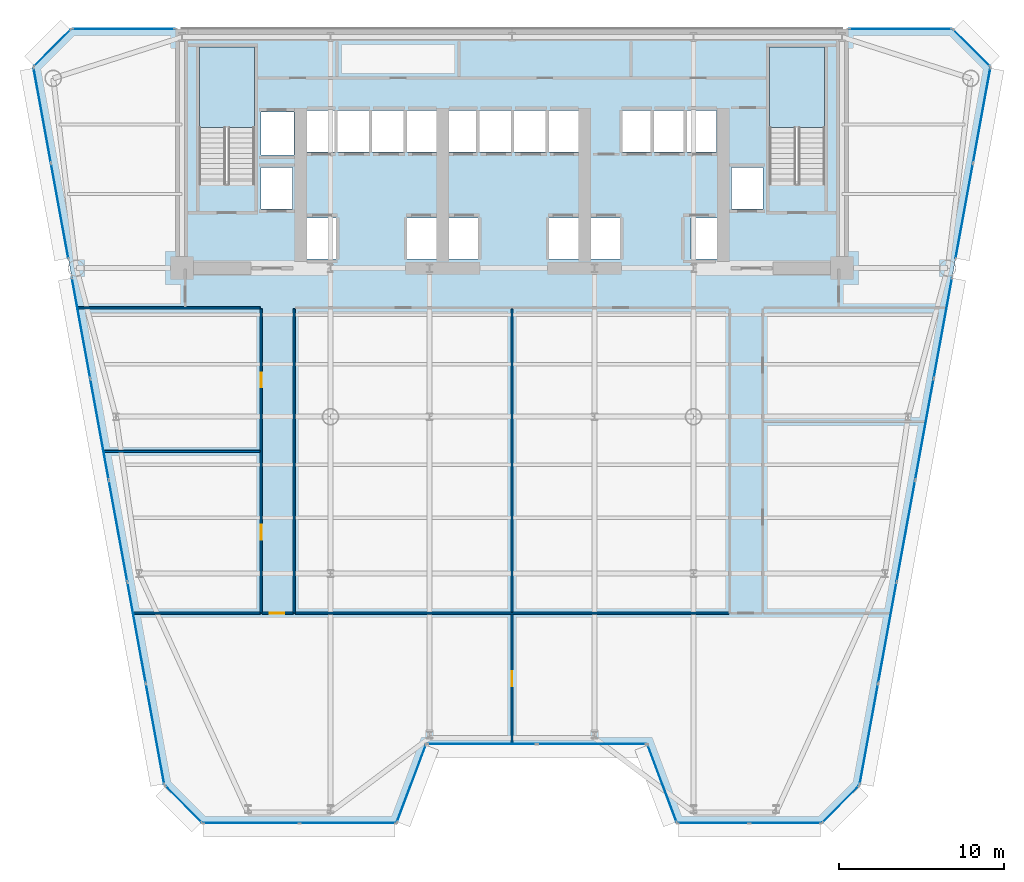
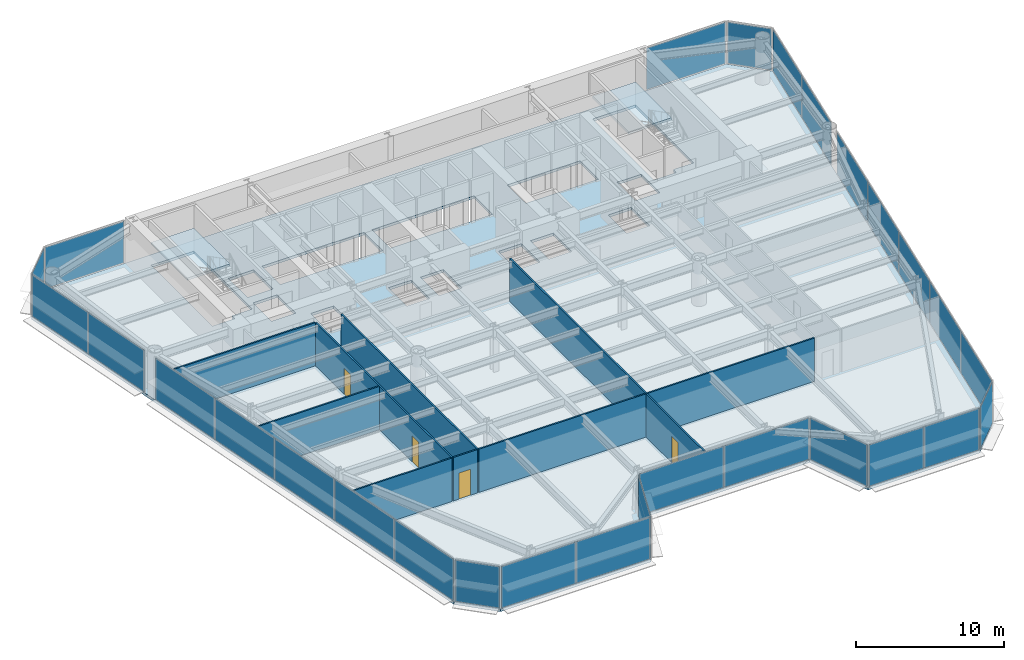
# One storey, part 7 of 14: 28 plates, 9 walls, 4 doors, 3 slabs, 4 openings, 17 elements without a shape of their own.
"""IFC4 building model written with IfcOpenShell, lengths in metres."""

from ifc_helpers import new_model, si_unit, direction, frame, frame_2d, origin, origin_2d, place, context, subcontext, project, spatial, polyline, rectangle, outline, extrude, source, transform, mapped, material, layer, layer_set, type_object, element, fill, aggregate, save


model = new_model("IFC4")

# Units and contexts
model_context = context("Model", 3, precision=1e-05, world=origin(), true_north=direction((0.0, 1.0)))
body_context = subcontext(model_context, "Body", "Model", "MODEL_VIEW")
ifc_project = project(units=[si_unit("LENGTHUNIT", "METRE"), si_unit("AREAUNIT", "SQUARE_METRE"), si_unit("VOLUMEUNIT", "CUBIC_METRE"), si_unit("PLANEANGLEUNIT", "RADIAN"), si_unit("MASSUNIT", "GRAM", prefix="KILO")], contexts=[model_context])

# Site, building, storey
site_placement = place(None, origin())
site = spatial("IfcSite", under=ifc_project, at=site_placement, CompositionType="ELEMENT")
building_placement = place(site_placement, origin())
building = spatial("IfcBuilding", under=site, at=building_placement, Name="Vaeldorn Concourse Tower", CompositionType="ELEMENT")
storey_placement = place(building_placement, frame((0.0, 0.0, 99.60009765625)))
storey = spatial("IfcBuildingStorey", under=building, at=storey_placement, Name="L25", CompositionType="ELEMENT", Elevation=99.60009765625)

# Stair, slab
ifc_material_1 = material(Name="Precast concrete C40/50", Category="concrete")
stair_type = type_object("IfcStairType", Name="STR-DOG-24x158", PredefinedType="HALF_TURN_STAIR", material=ifc_material_1)
stair_1_placement = place(storey_placement, origin())
stair_1 = element("IfcStair", 1, at=stair_1_placement, inside=storey, type_object=stair_type, Name="L25 West Core Exit Stair ST-1", PredefinedType="HALF_TURN_STAIR")
ifc_material_2 = material(Name="Concrete C40/50", Category="concrete")
ifc_layer_1 = layer(ifc_material_2, 0.199951171875)
ifc_layer_set_1 = layer_set([ifc_layer_1], Name="Concrete C40/50")
slab_type_1 = type_object("IfcSlabType", Name="SL-STAIR-LANDING", PredefinedType="LANDING", material=ifc_layer_set_1)
slab_1_placement = place(storey_placement, frame((0.0, 0.0, 1.699951171875)))
slab_1 = element("IfcSlab", 2, at=slab_1_placement, type_object=slab_type_1, Name="ST-1 landing 1", PredefinedType="LANDING", context=body_context, shape_type="SweptSolid", body=[
    extrude(outline(polyline([(18.39990234375, 45.010009765625), (18.39990234375, 49.89990234375), (15.050048828125, 49.89990234375), (15.050048828125, 45.010009765625), (18.39990234375, 45.010009765625)])), origin(), (0.0, 0.0, 1.0), 0.199951171875),
])
aggregate(stair_1, [slab_1])

stair_2_placement = place(storey_placement, origin())
stair_2 = element("IfcStair", 3, at=stair_2_placement, inside=storey, type_object=stair_type, Name="L25 East Core Exit Stair ST-2", PredefinedType="HALF_TURN_STAIR")
slab_2_placement = place(storey_placement, frame((0.0, 0.0, 1.699951171875)))
slab_2 = element("IfcSlab", 4, at=slab_2_placement, type_object=slab_type_1, Name="ST-2 landing 1", PredefinedType="LANDING", context=body_context, shape_type="SweptSolid", body=[
    extrude(outline(polyline([(52.949951171875, 45.010009765625), (52.949951171875, 49.89990234375), (49.60009765625, 49.89990234375), (49.60009765625, 45.010009765625), (52.949951171875, 45.010009765625)])), origin(), (0.0, 0.0, 1.0), 0.199951171875),
])
aggregate(stair_2, [slab_2])

# Slab
ifc_layer_2 = layer(ifc_material_2, 0.219970703125)
ifc_layer_set_2 = layer_set([ifc_layer_2], Name="Concrete C40/50")
slab_type_2 = type_object("IfcSlabType", Name="SL-TYP-220", PredefinedType="FLOOR", material=ifc_layer_set_2)
slab_3_placement = place(storey_placement, frame((0.0, 0.0, -0.22021484375)))
element("IfcSlab", 5, at=slab_3_placement, inside=storey, type_object=slab_type_2, Name="Structural Floor Slab L25", PredefinedType="FLOOR", context=body_context, shape_type="SweptSolid", body=[
    extrude(outline(polyline([(15.24169921875, 2.868896484375), (27.0, 2.868896484375), (28.800048828125, 7.6689453125), (42.199951171875, 7.6689453125), (44.0, 2.868896484375), (52.75830078125, 2.868896484375), (55.058349609375, 5.1689453125), (63.0, 48.699951171875), (60.699951171875, 51.0), (7.300048828125, 51.0), (5.0, 48.699951171875), (12.941650390625, 5.1689453125), (15.24169921875, 2.868896484375)]), holes=[polyline([(18.39990234375, 42.0), (18.39990234375, 49.89990234375), (15.050048828125, 49.89990234375), (15.050048828125, 41.60009765625), (16.800048828125, 41.60009765625), (16.800048828125, 42.0), (18.39990234375, 42.0)]), polyline([(52.949951171875, 42.0), (52.949951171875, 49.89990234375), (49.60009765625, 49.89990234375), (49.60009765625, 41.60009765625), (51.35009765625, 41.60009765625), (51.35009765625, 42.0), (52.949951171875, 42.0)]), polyline([(21.550048828125, 37.050048828125), (23.35009765625, 37.050048828125), (23.35009765625, 39.550048828125), (21.550048828125, 39.550048828125), (21.550048828125, 37.050048828125)]), polyline([(27.64990234375, 37.050048828125), (29.449951171875, 37.050048828125), (29.449951171875, 39.550048828125), (27.64990234375, 39.550048828125), (27.64990234375, 37.050048828125)]), polyline([(21.5, 43.550048828125), (29.5, 43.550048828125), (29.5, 46.050048828125), (21.5, 46.050048828125), (21.5, 43.550048828125)]), polyline([(30.14990234375, 37.050048828125), (31.949951171875, 37.050048828125), (31.949951171875, 39.550048828125), (30.14990234375, 39.550048828125), (30.14990234375, 37.050048828125)]), polyline([(36.25, 37.050048828125), (38.050048828125, 37.050048828125), (38.050048828125, 39.550048828125), (36.25, 39.550048828125), (36.25, 37.050048828125)]), polyline([(30.10009765625, 43.550048828125), (38.10009765625, 43.550048828125), (38.10009765625, 46.050048828125), (30.10009765625, 46.050048828125), (30.10009765625, 43.550048828125)]), polyline([(38.75, 37.050048828125), (40.550048828125, 37.050048828125), (40.550048828125, 39.550048828125), (38.75, 39.550048828125), (38.75, 37.050048828125)]), polyline([(44.85009765625, 37.050048828125), (46.64990234375, 37.050048828125), (46.64990234375, 39.550048828125), (44.85009765625, 39.550048828125), (44.85009765625, 37.050048828125)]), polyline([(40.699951171875, 43.550048828125), (46.39990234375, 43.550048828125), (46.39990234375, 46.050048828125), (40.699951171875, 46.050048828125), (40.699951171875, 43.550048828125)]), polyline([(18.800048828125, 43.35009765625), (20.800048828125, 43.35009765625), (20.800048828125, 45.949951171875), (18.800048828125, 45.949951171875), (18.800048828125, 43.35009765625)]), polyline([(18.800048828125, 40.10009765625), (20.699951171875, 40.10009765625), (20.699951171875, 42.60009765625), (18.800048828125, 42.60009765625), (18.800048828125, 40.10009765625)]), polyline([(47.300048828125, 40.10009765625), (49.199951171875, 40.10009765625), (49.199951171875, 42.60009765625), (47.300048828125, 42.60009765625), (47.300048828125, 40.10009765625)])]), origin(), (0.0, 0.0, 1.0), 0.22021484375),
])

# Curtain wall, plate
ifc_material_3 = material(Name="Anodised Bronze Aluminium", Category="aluminium")
ifc_layer_3 = layer(ifc_material_3, 0.2099609375)
ifc_layer_set_3 = layer_set([ifc_layer_3], Name="Anodised Bronze Aluminium")
curtain_wall_type = type_object("IfcCurtainWallType", Name="CW-SYS-06", PredefinedType="NOTDEFINED", material=ifc_layer_set_3)
curtain_wall_1_placement = place(storey_placement, origin())
curtain_wall_1 = element("IfcCurtainWall", 6, at=curtain_wall_1_placement, inside=storey, type_object=curtain_wall_type, Name="Unitised Curtain Wall CW-L25-E02-1", PredefinedType="NOTDEFINED")
ifc_material_4 = material(Name="Bronze Tinted Low-E Insulated Glass", Category="glass")
ifc_layer_4 = layer(ifc_material_4, 0.031982421875)
ifc_layer_set_4 = layer_set([ifc_layer_4], Name="Bronze Tinted Low-E Insulated Glass")
plate_type = type_object("IfcPlateType", Name="CWP-VISION-32", PredefinedType="CURTAIN_PANEL", material=ifc_layer_set_4)
shared_shape_1 = source(origin(), body_context, "Body", "SweptSolid", [
    extrude(rectangle(XDim=4.976318359375, YDim=0.031982421875, at=origin_2d()), origin(), (0.0, 0.0, 1.0), 3.429931640625),
])
plate_1_placement = place(storey_placement, frame((27.89990234375, 5.268798828125, 0.07470703125), z_axis=(0.0, 0.0, 1.0), x_axis=(0.351123441595, 0.936329177566, 0.0)))
plate_1 = element("IfcPlate", 7, at=plate_1_placement, type_object=plate_type, Name="CW-06 panel 1.1", PredefinedType="CURTAIN_PANEL", context=body_context, shape_type="MappedRepresentation", body=[
    mapped(shared_shape_1, transform((0.0, 0.0, 0.0), scale=1.0)),
])
aggregate(curtain_wall_1, [plate_1])

curtain_wall_2_placement = place(storey_placement, origin())
curtain_wall_2 = element("IfcCurtainWall", 8, at=curtain_wall_2_placement, inside=storey, type_object=curtain_wall_type, Name="Unitised Curtain Wall CW-L25-E04-1", PredefinedType="NOTDEFINED")
plate_2_placement = place(storey_placement, frame((43.10009765625, 5.268798828125, 0.07470703125), z_axis=(0.0, 0.0, 1.0), x_axis=(0.351123441595, -0.936329177566, 0.0)))
plate_2 = element("IfcPlate", 9, at=plate_2_placement, type_object=plate_type, Name="CW-06 panel 1.1", PredefinedType="CURTAIN_PANEL", context=body_context, shape_type="MappedRepresentation", body=[
    mapped(shared_shape_1, transform((0.0, 0.0, 0.0), scale=1.0)),
])
aggregate(curtain_wall_2, [plate_2])

# Curtain wall, plates
curtain_wall_3_placement = place(storey_placement, origin())
curtain_wall_3 = element("IfcCurtainWall", 10, at=curtain_wall_3_placement, inside=storey, type_object=curtain_wall_type, Name="Unitised Curtain Wall CW-L25-E03-1", PredefinedType="NOTDEFINED")
shared_shape_2 = source(origin(), body_context, "Body", "SweptSolid", [
    extrude(rectangle(XDim=6.58740234375, YDim=0.031982421875, at=origin_2d()), origin(), (0.0, 0.0, 1.0), 3.429931640625),
])
plate_3_placement = place(storey_placement, frame((32.168701171875, 7.6689453125, 0.07470703125), z_axis=(0.0, 0.0, 1.0), x_axis=(1.0, 0.0, 0.0)))
plate_3 = element("IfcPlate", 11, at=plate_3_placement, type_object=plate_type, Name="CW-06 panel 1.1", PredefinedType="CURTAIN_PANEL", context=body_context, shape_type="MappedRepresentation", body=[
    mapped(shared_shape_2, transform((0.0, 0.0, 0.0), scale=1.0)),
])
plate_4_placement = place(storey_placement, frame((38.831298828125, 7.6689453125, 0.07470703125), z_axis=(0.0, 0.0, 1.0), x_axis=(1.0, 0.0, 0.0)))
plate_4 = element("IfcPlate", 12, at=plate_4_placement, type_object=plate_type, Name="CW-06 panel 2.1", PredefinedType="CURTAIN_PANEL", context=body_context, shape_type="MappedRepresentation", body=[
    mapped(shared_shape_2, transform((0.0, 0.0, 0.0), scale=1.0)),
])
aggregate(curtain_wall_3, [plate_3, plate_4])

# Curtain wall, plate
curtain_wall_4_placement = place(storey_placement, origin())
curtain_wall_4 = element("IfcCurtainWall", 13, at=curtain_wall_4_placement, inside=storey, type_object=curtain_wall_type, Name="Unitised Curtain Wall CW-L25-E06-1", PredefinedType="NOTDEFINED")
shared_shape_3 = source(origin(), body_context, "Body", "SweptSolid", [
    extrude(rectangle(XDim=3.102783203125, YDim=0.031982421875, at=origin_2d()), origin(), (0.0, 0.0, 1.0), 3.429931640625),
])
plate_5_placement = place(storey_placement, frame((53.908447265625, 4.018798828125, 0.07470703125), z_axis=(0.0, 0.0, 1.0), x_axis=(0.707106781187, 0.707106781187, 0.0)))
plate_5 = element("IfcPlate", 14, at=plate_5_placement, type_object=plate_type, Name="CW-06 panel 1.1", PredefinedType="CURTAIN_PANEL", context=body_context, shape_type="MappedRepresentation", body=[
    mapped(shared_shape_3, transform((0.0, 0.0, 0.0), scale=1.0)),
])
aggregate(curtain_wall_4, [plate_5])

curtain_wall_5_placement = place(storey_placement, origin())
curtain_wall_5 = element("IfcCurtainWall", 15, at=curtain_wall_5_placement, inside=storey, type_object=curtain_wall_type, Name="Unitised Curtain Wall CW-L25-E08-1", PredefinedType="NOTDEFINED")
plate_6_placement = place(storey_placement, frame((61.85009765625, 49.85009765625, 0.07470703125), z_axis=(0.0, 0.0, 1.0), x_axis=(-0.707106781187, 0.707106781187, 0.0)))
plate_6 = element("IfcPlate", 16, at=plate_6_placement, type_object=plate_type, Name="CW-06 panel 1.1", PredefinedType="CURTAIN_PANEL", context=body_context, shape_type="MappedRepresentation", body=[
    mapped(shared_shape_3, transform((0.0, 0.0, 0.0), scale=1.0)),
])
aggregate(curtain_wall_5, [plate_6])

curtain_wall_6_placement = place(storey_placement, origin())
curtain_wall_6 = element("IfcCurtainWall", 17, at=curtain_wall_6_placement, inside=storey, type_object=curtain_wall_type, Name="Unitised Curtain Wall CW-L25-E10-1", PredefinedType="NOTDEFINED")
plate_7_placement = place(storey_placement, frame((6.14990234375, 49.85009765625, 0.07470703125), z_axis=(0.0, 0.0, 1.0), x_axis=(-0.707106781187, -0.707106781187, 0.0)))
plate_7 = element("IfcPlate", 18, at=plate_7_placement, type_object=plate_type, Name="CW-06 panel 1.1", PredefinedType="CURTAIN_PANEL", context=body_context, shape_type="MappedRepresentation", body=[
    mapped(shared_shape_3, transform((0.0, 0.0, 0.0), scale=1.0)),
])
aggregate(curtain_wall_6, [plate_7])

curtain_wall_7_placement = place(storey_placement, origin())
curtain_wall_7 = element("IfcCurtainWall", 19, at=curtain_wall_7_placement, inside=storey, type_object=curtain_wall_type, Name="Unitised Curtain Wall CW-L25-E12-1", PredefinedType="NOTDEFINED")
plate_8_placement = place(storey_placement, frame((14.091552734375, 4.018798828125, 0.07470703125), z_axis=(0.0, 0.0, 1.0), x_axis=(0.707106781187, -0.707106781187, 0.0)))
plate_8 = element("IfcPlate", 20, at=plate_8_placement, type_object=plate_type, Name="CW-06 panel 1.1", PredefinedType="CURTAIN_PANEL", context=body_context, shape_type="MappedRepresentation", body=[
    mapped(shared_shape_3, transform((0.0, 0.0, 0.0), scale=1.0)),
])
aggregate(curtain_wall_7, [plate_8])

# Curtain wall, plates
curtain_wall_8_placement = place(storey_placement, origin())
curtain_wall_8 = element("IfcCurtainWall", 21, at=curtain_wall_8_placement, inside=storey, type_object=curtain_wall_type, Name="Unitised Curtain Wall CW-L25-E01-1", PredefinedType="NOTDEFINED")
shared_shape_4 = source(origin(), body_context, "Body", "SweptSolid", [
    extrude(rectangle(XDim=5.7666015625, YDim=0.031982421875, at=origin_2d()), origin(), (0.0, 0.0, 1.0), 3.429931640625),
])
plate_9_placement = place(storey_placement, frame((18.199951171875, 2.868896484375, 0.07470703125), z_axis=(0.0, 0.0, 1.0), x_axis=(1.0, 0.0, 0.0)))
plate_9 = element("IfcPlate", 22, at=plate_9_placement, type_object=plate_type, Name="CW-06 panel 1.1", PredefinedType="CURTAIN_PANEL", context=body_context, shape_type="MappedRepresentation", body=[
    mapped(shared_shape_4, transform((0.0, 0.0, 0.0), scale=1.0)),
])
plate_10_placement = place(storey_placement, frame((24.041748046875, 2.868896484375, 0.07470703125), z_axis=(0.0, 0.0, 1.0), x_axis=(1.0, 0.0, 0.0)))
plate_10 = element("IfcPlate", 23, at=plate_10_placement, type_object=plate_type, Name="CW-06 panel 2.1", PredefinedType="CURTAIN_PANEL", context=body_context, shape_type="MappedRepresentation", body=[
    mapped(shared_shape_4, transform((0.0, 0.0, 0.0), scale=1.0)),
])
aggregate(curtain_wall_8, [plate_9, plate_10])

curtain_wall_9_placement = place(storey_placement, origin())
curtain_wall_9 = element("IfcCurtainWall", 24, at=curtain_wall_9_placement, inside=storey, type_object=curtain_wall_type, Name="Unitised Curtain Wall CW-L25-E05-1", PredefinedType="NOTDEFINED")
shared_shape_5 = source(origin(), body_context, "Body", "SweptSolid", [
    extrude(rectangle(XDim=4.2666015625, YDim=0.031982421875, at=origin_2d()), origin(), (0.0, 0.0, 1.0), 3.429931640625),
])
plate_11_placement = place(storey_placement, frame((46.208251953125, 2.868896484375, 0.07470703125), z_axis=(0.0, 0.0, 1.0), x_axis=(1.0, 0.0, 0.0)))
plate_11 = element("IfcPlate", 25, at=plate_11_placement, type_object=plate_type, Name="CW-06 panel 1.1", PredefinedType="CURTAIN_PANEL", context=body_context, shape_type="MappedRepresentation", body=[
    mapped(shared_shape_5, transform((0.0, 0.0, 0.0), scale=1.0)),
])
plate_12_placement = place(storey_placement, frame((50.550048828125, 2.868896484375, 0.07470703125), z_axis=(0.0, 0.0, 1.0), x_axis=(1.0, 0.0, 0.0)))
plate_12 = element("IfcPlate", 26, at=plate_12_placement, type_object=plate_type, Name="CW-06 panel 2.1", PredefinedType="CURTAIN_PANEL", context=body_context, shape_type="MappedRepresentation", body=[
    mapped(shared_shape_5, transform((0.0, 0.0, 0.0), scale=1.0)),
])
aggregate(curtain_wall_9, [plate_11, plate_12])

# Curtain wall, plate
curtain_wall_10_placement = place(storey_placement, origin())
curtain_wall_10 = element("IfcCurtainWall", 27, at=curtain_wall_10_placement, inside=storey, type_object=curtain_wall_type, Name="Unitised Curtain Wall CW-L25-E09-1", PredefinedType="NOTDEFINED")
shared_shape_6 = source(origin(), body_context, "Body", "SweptSolid", [
    extrude(rectangle(XDim=6.179931640625, YDim=0.031982421875, at=origin_2d()), origin(), (0.0, 0.0, 1.0), 3.429931640625),
])
plate_13_placement = place(storey_placement, frame((57.534912109375, 51.0, 0.07470703125), z_axis=(0.0, 0.0, 1.0), x_axis=(-1.0, 0.0, 0.0)))
plate_13 = element("IfcPlate", 28, at=plate_13_placement, type_object=plate_type, Name="CW-06 panel 1.1", PredefinedType="CURTAIN_PANEL", context=body_context, shape_type="MappedRepresentation", body=[
    mapped(shared_shape_6, transform((0.0, 0.0, 0.0), scale=1.0)),
])
aggregate(curtain_wall_10, [plate_13])

curtain_wall_11_placement = place(storey_placement, origin())
curtain_wall_11 = element("IfcCurtainWall", 29, at=curtain_wall_11_placement, inside=storey, type_object=curtain_wall_type, Name="Unitised Curtain Wall CW-L25-E09-2", PredefinedType="NOTDEFINED")
plate_14_placement = place(storey_placement, frame((10.465087890625, 51.0, 0.07470703125), z_axis=(0.0, 0.0, 1.0), x_axis=(-1.0, 0.0, 0.0)))
plate_14 = element("IfcPlate", 30, at=plate_14_placement, type_object=plate_type, Name="CW-06 panel 1.1", PredefinedType="CURTAIN_PANEL", context=body_context, shape_type="MappedRepresentation", body=[
    mapped(shared_shape_6, transform((0.0, 0.0, 0.0), scale=1.0)),
])
aggregate(curtain_wall_11, [plate_14])

# Curtain wall, plates
curtain_wall_12_placement = place(storey_placement, origin())
curtain_wall_12 = element("IfcCurtainWall", 31, at=curtain_wall_12_placement, inside=storey, type_object=curtain_wall_type, Name="Unitised Curtain Wall CW-L25-E07-2", PredefinedType="NOTDEFINED")
shared_shape_7 = source(origin(), body_context, "Body", "SweptSolid", [
    extrude(rectangle(XDim=5.824951171875, YDim=0.031982421875, at=origin_2d()), origin(), (0.0, 0.0, 1.0), 3.429931640625),
])
plate_15_placement = place(storey_placement, frame((61.405029296875, 39.95703125, 0.07470703125), z_axis=(0.0, 0.0, 1.0), x_axis=(0.179472329396, 0.983763021759, 0.0)))
plate_15 = element("IfcPlate", 32, at=plate_15_placement, type_object=plate_type, Name="CW-06 panel 1.1", PredefinedType="CURTAIN_PANEL", context=body_context, shape_type="MappedRepresentation", body=[
    mapped(shared_shape_7, transform((0.0, 0.0, 0.0), scale=1.0)),
])
plate_16_placement = place(storey_placement, frame((62.4638671875, 45.760986328125, 0.07470703125), z_axis=(0.0, 0.0, 1.0), x_axis=(0.179472329396, 0.983763021759, 0.0)))
plate_16 = element("IfcPlate", 33, at=plate_16_placement, type_object=plate_type, Name="CW-06 panel 2.1", PredefinedType="CURTAIN_PANEL", context=body_context, shape_type="MappedRepresentation", body=[
    mapped(shared_shape_7, transform((0.0, 0.0, 0.0), scale=1.0)),
])
aggregate(curtain_wall_12, [plate_15, plate_16])

curtain_wall_13_placement = place(storey_placement, origin())
curtain_wall_13 = element("IfcCurtainWall", 34, at=curtain_wall_13_placement, inside=storey, type_object=curtain_wall_type, Name="Unitised Curtain Wall CW-L25-E11-1", PredefinedType="NOTDEFINED")
plate_17_placement = place(storey_placement, frame((5.5361328125, 45.760986328125, 0.07470703125), z_axis=(0.0, 0.0, 1.0), x_axis=(0.179472329396, -0.983763021759, 0.0)))
plate_17 = element("IfcPlate", 35, at=plate_17_placement, type_object=plate_type, Name="CW-06 panel 1.1", PredefinedType="CURTAIN_PANEL", context=body_context, shape_type="MappedRepresentation", body=[
    mapped(shared_shape_7, transform((0.0, 0.0, 0.0), scale=1.0)),
])
plate_18_placement = place(storey_placement, frame((6.594970703125, 39.95703125, 0.07470703125), z_axis=(0.0, 0.0, 1.0), x_axis=(0.179472329396, -0.983763021759, 0.0)))
plate_18 = element("IfcPlate", 36, at=plate_18_placement, type_object=plate_type, Name="CW-06 panel 2.1", PredefinedType="CURTAIN_PANEL", context=body_context, shape_type="MappedRepresentation", body=[
    mapped(shared_shape_7, transform((0.0, 0.0, 0.0), scale=1.0)),
])
aggregate(curtain_wall_13, [plate_17, plate_18])

curtain_wall_14_placement = place(storey_placement, origin())
curtain_wall_14 = element("IfcCurtainWall", 37, at=curtain_wall_14_placement, inside=storey, type_object=curtain_wall_type, Name="Unitised Curtain Wall CW-L25-E07-1", PredefinedType="NOTDEFINED")
shared_shape_8 = source(origin(), body_context, "Body", "SweptSolid", [
    extrude(rectangle(XDim=6.15185546875, YDim=0.031982421875, at=origin_2d()), origin(), (0.0, 0.0, 1.0), 3.429931640625),
])
plate_19_placement = place(storey_placement, frame((55.6240234375, 8.2685546875, 0.07470703125), z_axis=(0.0, 0.0, 1.0), x_axis=(0.179473165416, 0.98376286924, 0.0)))
plate_19 = element("IfcPlate", 38, at=plate_19_placement, type_object=plate_type, Name="CW-06 panel 1.1", PredefinedType="CURTAIN_PANEL", context=body_context, shape_type="MappedRepresentation", body=[
    mapped(shared_shape_8, transform((0.0, 0.0, 0.0), scale=1.0)),
])
plate_20_placement = place(storey_placement, frame((60.1142578125, 32.88232421875, 0.07470703125), z_axis=(0.0, 0.0, 1.0), x_axis=(0.179473165416, 0.98376286924, 0.0)))
plate_20 = element("IfcPlate", 39, at=plate_20_placement, type_object=plate_type, Name="CW-06 panel 5.1", PredefinedType="CURTAIN_PANEL", context=body_context, shape_type="MappedRepresentation", body=[
    mapped(shared_shape_8, transform((0.0, 0.0, 0.0), scale=1.0)),
])

curtain_wall_15_placement = place(storey_placement, origin())
curtain_wall_15 = element("IfcCurtainWall", 40, at=curtain_wall_15_placement, inside=storey, type_object=curtain_wall_type, Name="Unitised Curtain Wall CW-L25-E11-2", PredefinedType="NOTDEFINED")
plate_21_placement = place(storey_placement, frame((7.8857421875, 32.88232421875, 0.07470703125), z_axis=(0.0, 0.0, 1.0), x_axis=(0.179473165416, -0.98376286924, 0.0)))
plate_21 = element("IfcPlate", 41, at=plate_21_placement, type_object=plate_type, Name="CW-06 panel 1.1", PredefinedType="CURTAIN_PANEL", context=body_context, shape_type="MappedRepresentation", body=[
    mapped(shared_shape_8, transform((0.0, 0.0, 0.0), scale=1.0)),
])
plate_22_placement = place(storey_placement, frame((12.3759765625, 8.2685546875, 0.07470703125), z_axis=(0.0, 0.0, 1.0), x_axis=(0.179473165416, -0.98376286924, 0.0)))
plate_22 = element("IfcPlate", 42, at=plate_22_placement, type_object=plate_type, Name="CW-06 panel 5.1", PredefinedType="CURTAIN_PANEL", context=body_context, shape_type="MappedRepresentation", body=[
    mapped(shared_shape_8, transform((0.0, 0.0, 0.0), scale=1.0)),
])

# Plate
shared_shape_9 = source(origin(), body_context, "Body", "SweptSolid", [
    extrude(rectangle(XDim=6.189453125, YDim=0.031982421875, at=origin_2d()), origin(), (0.0, 0.0, 1.0), 3.429931640625),
])
plate_23_placement = place(storey_placement, frame((56.744873046875, 14.412841796875, 0.07470703125), z_axis=(0.0, 0.0, 1.0), x_axis=(0.179473165416, 0.98376286924, 0.0)))
plate_23 = element("IfcPlate", 43, at=plate_23_placement, type_object=plate_type, Name="CW-06 panel 2.1", PredefinedType="CURTAIN_PANEL", context=body_context, shape_type="MappedRepresentation", body=[
    mapped(shared_shape_9, transform((0.0, 0.0, 0.0), scale=1.0)),
])

plate_24_placement = place(storey_placement, frame((57.869140625, 20.575439453125, 0.07470703125), z_axis=(0.0, 0.0, 1.0), x_axis=(0.179473165416, 0.98376286924, 0.0)))
plate_24 = element("IfcPlate", 44, at=plate_24_placement, type_object=plate_type, Name="CW-06 panel 3.1", PredefinedType="CURTAIN_PANEL", context=body_context, shape_type="MappedRepresentation", body=[
    mapped(shared_shape_9, transform((0.0, 0.0, 0.0), scale=1.0)),
])

plate_25_placement = place(storey_placement, frame((58.993408203125, 26.738037109375, 0.07470703125), z_axis=(0.0, 0.0, 1.0), x_axis=(0.179473165416, 0.98376286924, 0.0)))
plate_25 = element("IfcPlate", 45, at=plate_25_placement, type_object=plate_type, Name="CW-06 panel 4.1", PredefinedType="CURTAIN_PANEL", context=body_context, shape_type="MappedRepresentation", body=[
    mapped(shared_shape_9, transform((0.0, 0.0, 0.0), scale=1.0)),
])

aggregate(curtain_wall_14, [plate_19, plate_23, plate_24, plate_25, plate_20])

plate_26_placement = place(storey_placement, frame((9.006591796875, 26.738037109375, 0.07470703125), z_axis=(0.0, 0.0, 1.0), x_axis=(0.179473165416, -0.98376286924, 0.0)))
plate_26 = element("IfcPlate", 46, at=plate_26_placement, type_object=plate_type, Name="CW-06 panel 2.1", PredefinedType="CURTAIN_PANEL", context=body_context, shape_type="MappedRepresentation", body=[
    mapped(shared_shape_9, transform((0.0, 0.0, 0.0), scale=1.0)),
])

plate_27_placement = place(storey_placement, frame((10.130859375, 20.575439453125, 0.07470703125), z_axis=(0.0, 0.0, 1.0), x_axis=(0.179473165416, -0.98376286924, 0.0)))
plate_27 = element("IfcPlate", 47, at=plate_27_placement, type_object=plate_type, Name="CW-06 panel 3.1", PredefinedType="CURTAIN_PANEL", context=body_context, shape_type="MappedRepresentation", body=[
    mapped(shared_shape_9, transform((0.0, 0.0, 0.0), scale=1.0)),
])

plate_28_placement = place(storey_placement, frame((11.255126953125, 14.412841796875, 0.07470703125), z_axis=(0.0, 0.0, 1.0), x_axis=(0.179473165416, -0.98376286924, 0.0)))
plate_28 = element("IfcPlate", 48, at=plate_28_placement, type_object=plate_type, Name="CW-06 panel 4.1", PredefinedType="CURTAIN_PANEL", context=body_context, shape_type="MappedRepresentation", body=[
    mapped(shared_shape_9, transform((0.0, 0.0, 0.0), scale=1.0)),
])

aggregate(curtain_wall_15, [plate_21, plate_26, plate_27, plate_28, plate_22])

# Wall
ifc_material_5 = material(Name="Gypsum Board Partition", Category="gypsum")
ifc_layer_5 = layer(ifc_material_5, 0.1201171875)
ifc_layer_set_5 = layer_set([ifc_layer_5], Name="Gypsum Board Partition")
wall_type = type_object("IfcWallType", Name="WL-PART-120", PredefinedType="PARTITIONING", material=ifc_layer_set_5)
wall_1_placement = place(storey_placement, frame((7.70361328125, 34.10009765625, 0.0), z_axis=(0.0, 0.0, 1.0), x_axis=(1.0, 0.0, 0.0)))
element("IfcWall", 49, at=wall_1_placement, inside=storey, type_object=wall_type, Name="Interior Wall PW-L25-CEWW", PredefinedType="PARTITIONING", context=body_context, shape_type="SweptSolid", body=[
    extrude(rectangle(XDim=11.036376953125, YDim=0.1201171875, at=frame_2d((5.51806640625, 0.0))), origin(), (0.0, 0.0, 1.0), 3.579833984375),
])

# Wall, openings, doors
wall_2_placement = place(storey_placement, frame((18.800048828125, 15.60009765625, 0.0), z_axis=(0.0, 0.0, 1.0), x_axis=(0.0, 1.0, 0.0)))
wall_2 = element("IfcWall", 50, at=wall_2_placement, inside=storey, type_object=wall_type, Name="Interior Wall PW-L25-CWW", PredefinedType="PARTITIONING", context=body_context, shape_type="SweptSolid", body=[
    extrude(rectangle(XDim=18.43994140625, YDim=0.1201171875, at=frame_2d((9.219970703125, 0.0))), origin(), (0.0, 0.0, 1.0), 3.579833984375),
])
opening_1_placement = place(wall_2_placement, frame((4.449951171875, 0.0, 0.0)))
opening_1 = element("IfcOpeningElement", 51, at=opening_1_placement, cuts=wall_2, Name="Opening D-03", PredefinedType="OPENING", context=body_context, shape_type="SweptSolid", body=[
    extrude(rectangle(XDim=0.89990234375, YDim=2.14990234375, at=frame_2d((0.449951171875, 1.074951171875))), frame((0.0, 0.070068359375, 0.0), z_axis=(0.0, -1.0, 0.0), x_axis=(1.0, 0.0, 0.0)), (0.0, 0.0, 1.0), 0.14013671875),
])
opening_2_placement = place(wall_2_placement, frame((13.669921875, 0.0, 0.0)))
opening_2 = element("IfcOpeningElement", 52, at=opening_2_placement, cuts=wall_2, Name="Opening D-03", PredefinedType="OPENING", context=body_context, shape_type="SweptSolid", body=[
    extrude(rectangle(XDim=0.89990234375, YDim=2.14990234375, at=frame_2d((0.449951171875, 1.074951171875))), frame((0.0, 0.070068359375, 0.0), z_axis=(0.0, -1.0, 0.0), x_axis=(1.0, 0.0, 0.0)), (0.0, 0.0, 1.0), 0.14013671875),
])
ifc_material_6 = material(Name="Acoustic Bronze-Framed Glass Door", Category="glass")
door_type = type_object("IfcDoorType", Name="DR-INT-900", OperationType="NOTDEFINED", PredefinedType="DOOR", material=ifc_material_6)
shared_shape_10 = source(origin(), body_context, "Body", "SweptSolid", [
    extrude(rectangle(XDim=0.89990234375, YDim=2.14990234375, at=frame_2d((0.449951171875, 1.074951171875))), frame((0.0, 0.02490234375, 0.0), z_axis=(0.0, -1.0, 0.0), x_axis=(1.0, 0.0, 0.0)), (0.0, 0.0, 1.0), 0.050048828125),
])
door_1_placement = place(opening_1_placement, origin())
door_1 = element("IfcDoor", 53, at=door_1_placement, inside=storey, type_object=door_type, Name="Interior Door DR-L25-W1", OperationType="SINGLE_SWING_LEFT", OverallHeight=2.14990234375, OverallWidth=0.89990234375, PredefinedType="DOOR", context=body_context, shape_type="MappedRepresentation", body=[
    mapped(shared_shape_10, transform((0.0, 0.0, 0.0), scale=1.0)),
])
fill(opening_1, door_1)
door_2_placement = place(opening_2_placement, origin())
door_2 = element("IfcDoor", 54, at=door_2_placement, inside=storey, type_object=door_type, Name="Interior Door DR-L25-W2", OperationType="SINGLE_SWING_RIGHT", OverallHeight=2.14990234375, OverallWidth=0.89990234375, PredefinedType="DOOR", context=body_context, shape_type="MappedRepresentation", body=[
    mapped(shared_shape_10, transform((0.0, 0.0, 0.0), scale=1.0)),
])
fill(opening_2, door_2)

# Wall
wall_3_placement = place(storey_placement, frame((20.800048828125, 15.60009765625, 0.0), z_axis=(0.0, 0.0, 1.0), x_axis=(0.0, 1.0, 0.0)))
element("IfcWall", 55, at=wall_3_placement, inside=storey, type_object=wall_type, Name="Interior Wall PW-L25-CWE", PredefinedType="PARTITIONING", context=body_context, shape_type="SweptSolid", body=[
    extrude(rectangle(XDim=18.43994140625, YDim=0.1201171875, at=frame_2d((9.219970703125, 0.0))), origin(), (0.0, 0.0, 1.0), 3.579833984375),
])

# Wall, opening, door
wall_4_placement = place(storey_placement, frame((18.860107421875, 15.60009765625, 0.0), z_axis=(0.0, 0.0, 1.0), x_axis=(1.0, 0.0, 0.0)))
wall_4 = element("IfcWall", 56, at=wall_4_placement, inside=storey, type_object=wall_type, Name="Interior Wall PW-L25-CWS", PredefinedType="PARTITIONING", context=body_context, shape_type="SweptSolid", body=[
    extrude(rectangle(XDim=1.8798828125, YDim=0.1201171875, at=frame_2d((0.93994140625, 0.0))), origin(), (0.0, 0.0, 1.0), 3.579833984375),
])
opening_3_placement = place(wall_4_placement, frame((0.449951171875, 0.0, 0.0)))
opening_3 = element("IfcOpeningElement", 57, at=opening_3_placement, cuts=wall_4, Name="Opening D-03", PredefinedType="OPENING", context=body_context, shape_type="SweptSolid", body=[
    extrude(rectangle(XDim=0.89990234375, YDim=2.14990234375, at=frame_2d((0.449951171875, 1.074951171875))), frame((0.0, 0.070068359375, 0.0), z_axis=(0.0, -1.0, 0.0), x_axis=(1.0, 0.0, 0.0)), (0.0, 0.0, 1.0), 0.14013671875),
])
door_3_placement = place(opening_3_placement, origin())
door_3 = element("IfcDoor", 58, at=door_3_placement, inside=storey, type_object=door_type, Name="Interior Door DR-L25-SWL", OperationType="SINGLE_SWING_LEFT", OverallHeight=2.14990234375, OverallWidth=0.89990234375, PredefinedType="DOOR", context=body_context, shape_type="MappedRepresentation", body=[
    mapped(shared_shape_10, transform((0.0, 0.0, 0.0), scale=1.0)),
])
fill(opening_3, door_3)

# Walls
wall_5_placement = place(storey_placement, frame((11.07861328125, 15.60009765625, 0.0), z_axis=(0.0, 0.0, 1.0), x_axis=(1.0, 0.0, 0.0)))
element("IfcWall", 59, at=wall_5_placement, inside=storey, type_object=wall_type, Name="Interior Wall PW-L25-WY0", PredefinedType="PARTITIONING", context=body_context, shape_type="SweptSolid", body=[
    extrude(rectangle(XDim=7.661376953125, YDim=0.1201171875, at=frame_2d((3.83056640625, 0.0))), origin(), (0.0, 0.0, 1.0), 3.579833984375),
])
wall_6_placement = place(storey_placement, frame((9.290771484375, 25.39990234375, 0.0), z_axis=(0.0, 0.0, 1.0), x_axis=(1.0, 0.0, 0.0)))
element("IfcWall", 60, at=wall_6_placement, inside=storey, type_object=wall_type, Name="Interior Wall PW-L25-WY1", PredefinedType="PARTITIONING", context=body_context, shape_type="SweptSolid", body=[
    extrude(rectangle(XDim=9.44921875, YDim=0.1201171875, at=frame_2d((4.724609375, 0.0))), origin(), (0.0, 0.0, 1.0), 3.579833984375),
])
wall_7_placement = place(storey_placement, frame((20.860107421875, 15.60009765625, 0.0), z_axis=(0.0, 0.0, 1.0), x_axis=(1.0, 0.0, 0.0)))
element("IfcWall", 61, at=wall_7_placement, inside=storey, type_object=wall_type, Name="Interior Wall PW-L25-HUBS", PredefinedType="PARTITIONING", context=body_context, shape_type="SweptSolid", body=[
    extrude(rectangle(XDim=26.27978515625, YDim=0.1201171875, at=frame_2d((13.139892578125, 0.0))), origin(), (0.0, 0.0, 1.0), 3.579833984375),
])
wall_8_placement = place(storey_placement, frame((34.0, 15.659912109375, 0.0), z_axis=(0.0, 0.0, 1.0), x_axis=(0.0, 1.0, 0.0)))
element("IfcWall", 62, at=wall_8_placement, inside=storey, type_object=wall_type, Name="Interior Wall PW-L25-HX1", PredefinedType="PARTITIONING", context=body_context, shape_type="SweptSolid", body=[
    extrude(rectangle(XDim=18.380126953125, YDim=0.1201171875, at=frame_2d((9.18994140625, 0.0))), origin(), (0.0, 0.0, 1.0), 3.579833984375),
])

# Wall, opening, door
wall_9_placement = place(storey_placement, frame((34.0, 7.708984375, 0.0), z_axis=(0.0, 0.0, 1.0), x_axis=(0.0, 1.0, 0.0)))
wall_9 = element("IfcWall", 63, at=wall_9_placement, inside=storey, type_object=wall_type, Name="Interior Wall PW-L25-SMID1", PredefinedType="PARTITIONING", context=body_context, shape_type="SweptSolid", body=[
    extrude(rectangle(XDim=7.8310546875, YDim=0.1201171875, at=frame_2d((3.91552734375, 0.0))), origin(), (0.0, 0.0, 1.0), 3.579833984375),
])
opening_4_placement = place(wall_9_placement, frame((3.466064453125, 0.0, 0.0)))
opening_4 = element("IfcOpeningElement", 64, at=opening_4_placement, cuts=wall_9, Name="Opening D-03", PredefinedType="OPENING", context=body_context, shape_type="SweptSolid", body=[
    extrude(rectangle(XDim=0.89990234375, YDim=2.14990234375, at=frame_2d((0.449951171875, 1.074951171875))), frame((0.0, 0.070068359375, 0.0), z_axis=(0.0, -1.0, 0.0), x_axis=(1.0, 0.0, 0.0)), (0.0, 0.0, 1.0), 0.14013671875),
])
door_4_placement = place(opening_4_placement, origin())
door_4 = element("IfcDoor", 65, at=door_4_placement, inside=storey, type_object=door_type, Name="Interior Door DR-L25-SMID1", OperationType="SINGLE_SWING_RIGHT", OverallHeight=2.14990234375, OverallWidth=0.89990234375, PredefinedType="DOOR", context=body_context, shape_type="MappedRepresentation", body=[
    mapped(shared_shape_10, transform((0.0, 0.0, 0.0), scale=1.0)),
])
fill(opening_4, door_4)

save(model, "model.ifc")
